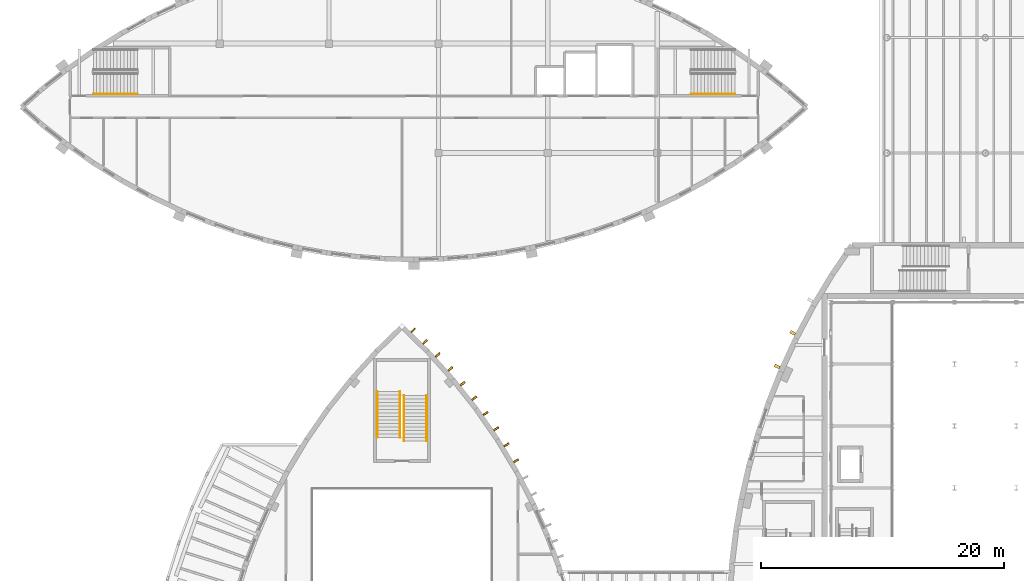
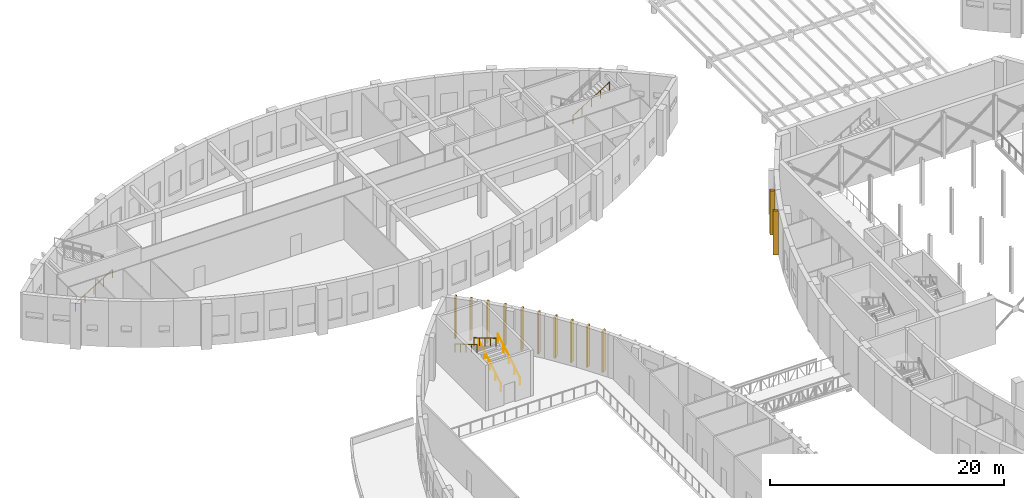
# One storey, part 88 of 93: 12 shading devices, 6 railings.
"""IFC4 building model written with IfcOpenShell, lengths in metres."""

from ifc_helpers import new_model, si_unit, direction, frame, origin, origin_2d, place, context, subcontext, project, spatial, rectangle, circle, extrude, material, layer, layer_set, type_object, element, save


model = new_model("IFC4")

# Units and contexts
model_context = context("Model", 3, precision=1e-05, world=origin(), true_north=direction((0.0, 1.0)))
body_context = subcontext(model_context, "Body", "Model", "MODEL_VIEW")
ifc_project = project(units=[si_unit("LENGTHUNIT", "METRE"), si_unit("AREAUNIT", "SQUARE_METRE"), si_unit("VOLUMEUNIT", "CUBIC_METRE"), si_unit("PLANEANGLEUNIT", "RADIAN"), si_unit("MASSUNIT", "GRAM", prefix="KILO")], contexts=[model_context])

# Site, building, storey
site_placement = place(None, origin())
site = spatial("IfcSite", under=ifc_project, at=site_placement, CompositionType="ELEMENT")
building_placement = place(site_placement, origin())
building = spatial("IfcBuilding", under=site, at=building_placement, Name="Tide Square Theatres", CompositionType="ELEMENT")
storey_placement = place(building_placement, frame((0.0, 0.0, 5.39990234375)))
storey = spatial("IfcBuildingStorey", under=building, at=storey_placement, Name="L01", CompositionType="ELEMENT", Elevation=5.39990234375)

# Shading devices
ifc_material_1 = material(Name="Concrete C40", Category="concrete")
ifc_layer = layer(ifc_material_1, 0.14990234375)
ifc_layer_set = layer_set([ifc_layer], Name="Concrete C40")
shading_device_type = type_object("IfcShadingDeviceType", Name="Concrete fin 450", PredefinedType="USERDEFINED", material=ifc_layer_set)
for number, where, z_axis, x_axis, name in (
    (1, (68.1494140625, 79.203369140625, 0.0), (0.0, 0.0, 1.0), (-0.466757131825, -0.884385538038, 0.0), "Concrete fin"),
    (2, (66.86669921875, 76.44091796875, 0.0), (0.0, 0.0, 1.0), (-0.416344267901, -0.90920704495, 0.0), "Concrete fin"),
):
    element("IfcShadingDevice", number, at=place(storey_placement, frame(where, z_axis=z_axis, x_axis=x_axis)), inside=storey, type_object=shading_device_type, Name=name, ObjectType="BRISE-SOLEIL FIN", PredefinedType="USERDEFINED", context=body_context, shape_type="SweptSolid", body=[
        extrude(rectangle(XDim=0.25, YDim=0.449951171875, at=origin_2d()), origin(), (0.0, 0.0, 1.0), 4.60009765625),
    ])
for number, where, z_axis, x_axis, name in (
    (3, (45.391845703125, 68.687744140625, 0.0), (0.0, 0.0, 1.0), (-0.515397079115, 0.856951486865, 0.0), "Concrete fin"),
    (4, (44.603759765625, 69.997802734375, 0.0), (0.0, 0.0, 1.0), (-0.515397079115, 0.856951486865, 0.0), "Concrete fin"),
    (5, (43.752685546875, 71.315185546875, 0.0), (0.0, 0.0, 1.0), (-0.569365615032, 0.822084421711, 0.0), "Concrete fin"),
    (6, (42.882080078125, 72.572021484375, 0.0), (0.0, 0.0, 1.0), (-0.569365615032, 0.822084421711, 0.0), "Concrete fin"),
    (7, (41.9482421875, 73.83203125, 0.0), (0.0, 0.0, 1.0), (-0.620969949886, 0.783834371113, 0.0), "Concrete fin"),
    (8, (40.998779296875, 75.030517578125, 0.0), (0.0, 0.0, 1.0), (-0.620969949886, 0.783834371113, 0.0), "Concrete fin"),
    (9, (39.978515625, 76.23583984375, 0.0), (0.0, 0.0, 1.0), (-0.670361866799, 0.74203434391, 0.0), "Concrete fin"),
    (10, (38.938720703125, 77.386474609375, 0.0), (0.0, 0.0, 1.0), (-0.670361866799, 0.74203434391, 0.0), "Concrete fin"),
    (11, (37.90185546875, 78.466064453125, 0.0), (0.0, 0.0, 1.0), (-0.717263382773, 0.696802152503, 0.0), "Concrete fin"),
    (12, (36.92431640625, 79.415771484375, 0.0), (0.0, 0.0, 1.0), (-0.717263382773, 0.696802152503, 0.0), "Concrete fin"),
):
    element("IfcShadingDevice", number, at=place(storey_placement, frame(where, z_axis=z_axis, x_axis=x_axis)), inside=storey, type_object=shading_device_type, Name=name, ObjectType="BRISE-SOLEIL FIN", PredefinedType="USERDEFINED", context=body_context, shape_type="SweptSolid", body=[
        extrude(rectangle(XDim=0.14990234375, YDim=0.449951171875, at=origin_2d()), origin(), (0.0, 0.0, 1.0), 4.300048828125),
    ])

# Railings
ifc_material_2 = material(Name="Painted steel", Category="steel")
railing_type = type_object("IfcRailingType", Name="Steel handrail 850", PredefinedType="HANDRAIL", material=ifc_material_2)
for number, where, name in (
    (13, (38.0400390625, 70.300048828125, 0.171630859375), "Stair handrail 1"),
    (14, (36.159912109375, 70.300048828125, 0.171630859375), "Stair handrail 1"),
):
    element("IfcRailing", number, at=place(storey_placement, frame(where)), inside=storey, type_object=railing_type, Name=name, PredefinedType="HANDRAIL", context=body_context, shape_type="SweptSolid", body=[
        extrude(circle(Radius=0.02490234375, at=origin_2d()), frame((0.0, 0.0, 0.8251953125), z_axis=(0.0, 0.860848830602, 0.508860777473), x_axis=(-1.0, 0.0, 0.0)), (0.0, 0.0, 1.0), 4.37939453125),
        extrude(circle(Radius=0.02001953125, at=origin_2d()), origin(), (0.0, 0.0, 1.0), 0.800048828125),
        extrude(circle(Radius=0.02001953125, at=origin_2d()), frame((0.0, 0.9423828125, 0.55712890625)), (0.0, 0.0, 1.0), 0.800048828125),
        extrude(circle(Radius=0.02001953125, at=origin_2d()), frame((0.0, 1.885009765625, 1.1142578125)), (0.0, 0.0, 1.0), 0.800048828125),
        extrude(circle(Radius=0.02001953125, at=origin_2d()), frame((0.0, 2.82763671875, 1.67138671875)), (0.0, 0.0, 1.0), 0.800048828125),
        extrude(circle(Radius=0.02001953125, at=origin_2d()), frame((0.0, 3.77001953125, 2.228515625)), (0.0, 0.0, 1.0), 0.800048828125),
    ])
for number, where, name in (
    (15, (35.840087890625, 74.36474609375, 2.571533203125), "Stair handrail 1"),
    (16, (33.9599609375, 74.36474609375, 2.571533203125), "Stair handrail 1"),
):
    element("IfcRailing", number, at=place(storey_placement, frame(where)), inside=storey, type_object=railing_type, Name=name, PredefinedType="HANDRAIL", context=body_context, shape_type="SweptSolid", body=[
        extrude(circle(Radius=0.02490234375, at=origin_2d()), frame((0.0, 0.0, 0.8251953125), z_axis=(0.0, -0.860848830602, 0.508860777473), x_axis=(1.0, 0.0, 0.0)), (0.0, 0.0, 1.0), 4.37939453125),
        extrude(circle(Radius=0.02001953125, at=origin_2d()), origin(), (0.0, 0.0, 1.0), 0.800048828125),
        extrude(circle(Radius=0.02001953125, at=origin_2d()), frame((0.0, -0.9423828125, 0.55712890625)), (0.0, 0.0, 1.0), 0.800048828125),
        extrude(circle(Radius=0.02001953125, at=origin_2d()), frame((0.0, -1.885009765625, 1.1142578125)), (0.0, 0.0, 1.0), 0.800048828125),
        extrude(circle(Radius=0.02001953125, at=origin_2d()), frame((0.0, -2.82763671875, 1.67138671875)), (0.0, 0.0, 1.0), 0.800048828125),
        extrude(circle(Radius=0.02001953125, at=origin_2d()), frame((0.0, -3.77001953125, 2.228515625)), (0.0, 0.0, 1.0), 0.800048828125),
    ])
for number, where, name in (
    (17, (10.60009765625, 98.85009765625, 0.171630859375), "L01 WST-1 stair handrail 1"),
    (18, (59.760009765625, 98.85009765625, 2.571533203125), "L01 WST-2 stair handrail 3"),
):
    element("IfcRailing", number, at=place(storey_placement, frame(where)), inside=storey, type_object=railing_type, Name=name, PredefinedType="HANDRAIL", context=body_context, shape_type="SweptSolid", body=[
        extrude(circle(Radius=0.02392578125, at=origin_2d()), frame((0.0, 0.0, 0.826171875), z_axis=(0.852850264322, 0.0, 0.5221555579), x_axis=(0.0, 1.0, 0.0)), (0.0, 0.0, 1.0), 4.267822265625),
        extrude(circle(Radius=0.02099609375, at=origin_2d()), origin(), (0.0, 0.0, 1.0), 0.802001953125),
        extrude(circle(Radius=0.02099609375, at=origin_2d()), frame((0.909912109375, 0.0, 0.55712890625)), (0.0, 0.0, 1.0), 0.802001953125),
        extrude(circle(Radius=0.02099609375, at=origin_2d()), frame((1.81982421875, 0.0, 1.1142578125)), (0.0, 0.0, 1.0), 0.802001953125),
        extrude(circle(Radius=0.02099609375, at=origin_2d()), frame((2.72998046875, 0.0, 1.67138671875)), (0.0, 0.0, 1.0), 0.802001953125),
        extrude(circle(Radius=0.02099609375, at=origin_2d()), frame((3.639892578125, 0.0, 2.228515625)), (0.0, 0.0, 1.0), 0.802001953125),
    ])

save(model, "model.ifc")
